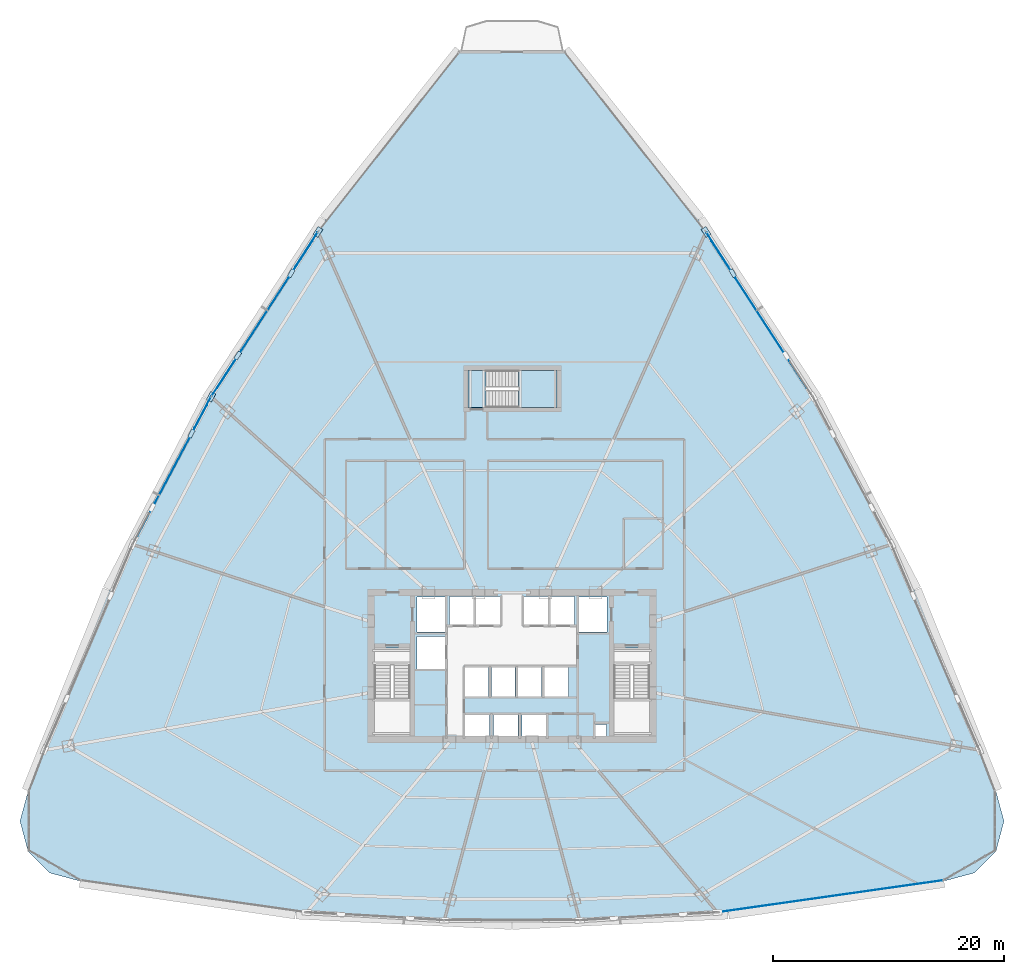
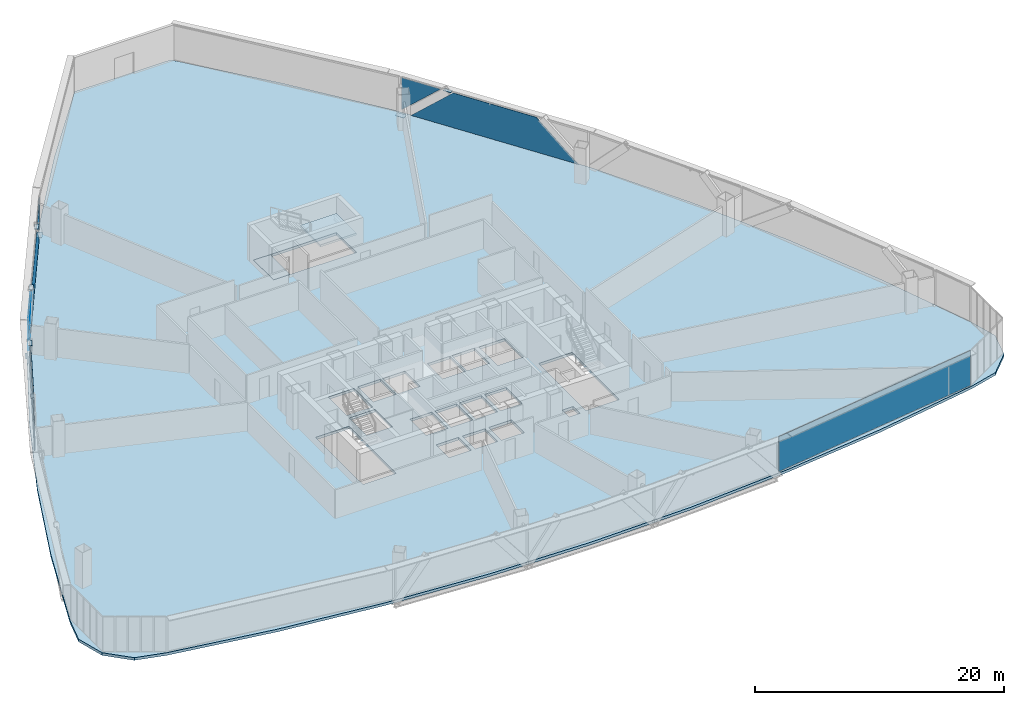
# One storey, part 29 of 39: 15 plates, 3 slabs, 5 elements without a shape of their own.
"""IFC4 building model written with IfcOpenShell, lengths in metres."""

from ifc_helpers import new_model, si_unit, direction, frame, origin, origin_2d, place, context, subcontext, project, spatial, polyline, rectangle, outline, extrude, source, transform, mapped, material, layer, layer_set, type_object, element, aggregate, save


model = new_model("IFC4")

# Units and contexts
model_context = context("Model", 3, precision=1e-05, world=origin(), true_north=direction((0.0, 1.0)))
body_context = subcontext(model_context, "Body", "Model", "MODEL_VIEW")
ifc_project = project(units=[si_unit("LENGTHUNIT", "METRE"), si_unit("AREAUNIT", "SQUARE_METRE"), si_unit("VOLUMEUNIT", "CUBIC_METRE"), si_unit("PLANEANGLEUNIT", "RADIAN"), si_unit("MASSUNIT", "GRAM", prefix="KILO"), si_unit("THERMODYNAMICTEMPERATUREUNIT", "KELVIN"), si_unit("POWERUNIT", "WATT")], contexts=[model_context])

# Site, building, storey
site_placement = place(None, origin())
site = spatial("IfcSite", under=ifc_project, at=site_placement, CompositionType="ELEMENT")
building_placement = place(site_placement, origin())
building = spatial("IfcBuilding", under=site, at=building_placement, Name="Yunzhuo Pagoda Commons", CompositionType="ELEMENT")
storey_placement = place(building_placement, frame((0.0, 0.0, 96.3798828125)))
storey = spatial("IfcBuildingStorey", under=building, at=storey_placement, Name="L24", CompositionType="ELEMENT", Elevation=96.3798828125)

# Curtain wall, plates
ifc_material_1 = material(Name="Anodized aluminium 6063-T6", Category="aluminium")
ifc_layer_1 = layer(ifc_material_1, 0.1650390625)
ifc_layer_set_1 = layer_set([ifc_layer_1], Name="Anodized aluminium 6063-T6")
curtain_wall_type = type_object("IfcCurtainWallType", Name="CW-LOW Low-Zone Ribbon Curtain Wall", PredefinedType="NOTDEFINED", material=ifc_layer_set_1)
curtain_wall_1_placement = place(storey_placement, origin())
curtain_wall_1 = element("IfcCurtainWall", 1, at=curtain_wall_1_placement, inside=storey, type_object=curtain_wall_type, Name="L24 curtain wall CW-L24-F2B4", PredefinedType="NOTDEFINED")
ifc_material_2 = material(Name="Tempered low-e double glazing", Category="glass")
ifc_layer_2 = layer(ifc_material_2, 0.028076171875)
ifc_layer_set_2 = layer_set([ifc_layer_2], Name="Tempered low-e double glazing")
plate_type_1 = type_object("IfcPlateType", Name="CW-LOW-P Low-E Double Glazing 28", PredefinedType="CURTAIN_PANEL", material=ifc_layer_set_2)
plate_1_placement = place(storey_placement, frame((69.353515625, 64.219482421875, 1.77001953125), z_axis=(0.838972259493, 0.544174188841, 0.0), x_axis=(-0.544174188841, 0.838972259493, 0.0)))
plate_1 = element("IfcPlate", 2, at=plate_1_placement, type_object=plate_type_1, Name="CW panel 1.1 lite 2", PredefinedType="CURTAIN_PANEL", context=body_context, shape_type="SweptSolid", body=[
    extrude(outline(polyline([(-7.56298828125, -1.7099609375), (7.56298828125, -1.7099609375), (3.742431640625, 1.7099609375), (-3.742431640625, 1.7099609375), (-7.56298828125, -1.7099609375)])), origin(), (0.0, 0.0, 1.0), 0.028076171875),
])
plate_2_placement = place(storey_placement, frame((65.758056640625, 69.818115234375, 1.894287109375), z_axis=(0.838972259493, 0.544174188841, 0.0), x_axis=(-0.544174188841, 0.838972259493, 0.0)))
plate_2 = element("IfcPlate", 3, at=plate_2_placement, type_object=plate_type_1, Name="CW panel 1.1 lite 3", PredefinedType="CURTAIN_PANEL", context=body_context, shape_type="SweptSolid", body=[
    extrude(outline(polyline([(-1.771728515625, 1.5859375), (1.771728515625, -1.5859375), (1.771728515625, 1.5859375), (-1.771728515625, 1.5859375)])), origin(), (0.0, 0.0, 1.0), 0.028076171875),
])
aggregate(curtain_wall_1, [plate_1, plate_2])

curtain_wall_2_placement = place(storey_placement, origin())
curtain_wall_2 = element("IfcCurtainWall", 4, at=curtain_wall_2_placement, inside=storey, type_object=curtain_wall_type, Name="L24 curtain wall CW-L24-F3B2", PredefinedType="NOTDEFINED")
plate_3_placement = place(storey_placement, frame((30.241943359375, 69.818115234375, 1.894287109375), z_axis=(-0.838972259493, 0.544174188841, 0.0), x_axis=(-0.544174188841, -0.838972259493, 0.0)))
plate_3 = element("IfcPlate", 5, at=plate_3_placement, type_object=plate_type_1, Name="CW panel 1.1 lite 1", PredefinedType="CURTAIN_PANEL", context=body_context, shape_type="SweptSolid", body=[
    extrude(outline(polyline([(-1.771728515625, -1.5859375), (1.771728515625, 1.5859375), (-1.771728515625, 1.5859375), (-1.771728515625, -1.5859375)])), origin(), (0.0, 0.0, 1.0), 0.028076171875),
])
plate_4_placement = place(storey_placement, frame((26.646484375, 64.219482421875, 1.77001953125), z_axis=(-0.838972259493, 0.544174188841, 0.0), x_axis=(-0.544174188841, -0.838972259493, 0.0)))
plate_4 = element("IfcPlate", 6, at=plate_4_placement, type_object=plate_type_1, Name="CW panel 1.1 lite 2", PredefinedType="CURTAIN_PANEL", context=body_context, shape_type="SweptSolid", body=[
    extrude(outline(polyline([(-7.56298828125, -1.7099609375), (7.56298828125, -1.7099609375), (3.742431640625, 1.7099609375), (-3.742431640625, 1.7099609375), (-7.56298828125, -1.7099609375)])), origin(), (0.0, 0.0, 1.0), 0.028076171875),
])
plate_5_placement = place(storey_placement, frame((23.00048828125, 58.6533203125, 1.894287109375), z_axis=(-0.838972259493, 0.544174188841, 0.0), x_axis=(-0.544174188841, -0.838972259493, 0.0)))
plate_5 = element("IfcPlate", 7, at=plate_5_placement, type_object=plate_type_1, Name="CW panel 1.1 lite 3", PredefinedType="CURTAIN_PANEL", context=body_context, shape_type="SweptSolid", body=[
    extrude(outline(polyline([(-1.771728515625, 1.5859375), (1.771728515625, -1.5859375), (1.771728515625, 1.5859375), (-1.771728515625, 1.5859375)])), origin(), (0.0, 0.0, 1.0), 0.028076171875),
])
aggregate(curtain_wall_2, [plate_3, plate_4, plate_5])

curtain_wall_3_placement = place(storey_placement, origin())
curtain_wall_3 = element("IfcCurtainWall", 8, at=curtain_wall_3_placement, inside=storey, type_object=curtain_wall_type, Name="L24 curtain wall CW-L24-F3B3", PredefinedType="NOTDEFINED")
plate_6_placement = place(storey_placement, frame((21.274658203125, 55.74609375, 1.919921875), z_axis=(-0.882975865639, 0.469418385558, 0.0), x_axis=(-0.469418385558, -0.882975865639, 0.0)))
plate_6 = element("IfcPlate", 9, at=plate_6_placement, type_object=plate_type_1, Name="CW panel 1.1 lite 1", PredefinedType="CURTAIN_PANEL", context=body_context, shape_type="SweptSolid", body=[
    extrude(outline(polyline([(-1.483642578125, -1.56005859375), (1.48388671875, 1.56005859375), (-1.483642578125, 1.56005859375), (-1.483642578125, -1.56005859375)])), origin(), (0.0, 0.0, 1.0), 0.028076171875),
])
plate_7_placement = place(storey_placement, frame((18.63525390625, 50.717529296875, 1.77001953125), z_axis=(-0.882975865639, 0.469418385558, 0.0), x_axis=(-0.469418385558, -0.882975865639, 0.0)))
plate_7 = element("IfcPlate", 10, at=plate_7_placement, type_object=plate_type_1, Name="CW panel 1.1 lite 2", PredefinedType="CURTAIN_PANEL", context=body_context, shape_type="SweptSolid", body=[
    extrude(outline(polyline([(-6.39892578125, -1.7099609375), (6.39892578125, -1.7099609375), (3.146484375, 1.7099609375), (-3.146484375, 1.7099609375), (-6.39892578125, -1.7099609375)])), origin(), (0.0, 0.0, 1.0), 0.028076171875),
])
aggregate(curtain_wall_3, [plate_6, plate_7])

# Stair, slabs
ifc_material_3 = material(Name="Concrete C40", Category="concrete")
stair_type = type_object("IfcStairType", Name="ST-C3 North Tower Smokeproof Stair ST3", PredefinedType="HALF_TURN_STAIR", material=ifc_material_3)
stair_placement = place(storey_placement, origin())
stair = element("IfcStair", 11, at=stair_placement, inside=storey, type_object=stair_type, Name="L24 North tower smokeproof stair ST3", PredefinedType="HALF_TURN_STAIR")
ifc_layer_3 = layer(ifc_material_3, 0.2041015625)
ifc_layer_set_3 = layer_set([ifc_layer_3], Name="Concrete C40")
slab_type_1 = type_object("IfcSlabType", Name="SL-LND5 North Landing Slab 204", PredefinedType="LANDING", material=ifc_layer_set_3)
slab_1_placement = place(storey_placement, frame((0.0, 0.0, 1.7001953125)))
slab_1 = element("IfcSlab", 12, at=slab_1_placement, type_object=slab_type_1, Name="ST3 landing 1", PredefinedType="LANDING", context=body_context, shape_type="SweptSolid", body=[
    extrude(outline(polyline([(48.550048828125, 56.199951171875), (51.89990234375, 56.199951171875), (51.89990234375, 59.39990234375), (48.550048828125, 59.39990234375), (48.550048828125, 56.199951171875)])), origin(), (0.0, 0.0, 1.0), 0.199951171875),
])
slab_2_placement = place(storey_placement, frame((0.0, 0.0, -0.199951171875)))
slab_2 = element("IfcSlab", 13, at=slab_2_placement, type_object=slab_type_1, Name="ST3 floor landing L24", PredefinedType="LANDING", context=body_context, shape_type="SweptSolid", body=[
    extrude(outline(polyline([(44.199951171875, 56.199951171875), (45.75, 56.199951171875), (45.75, 59.39990234375), (44.199951171875, 59.39990234375), (44.199951171875, 56.199951171875)])), origin(), (0.0, 0.0, 1.0), 0.199951171875),
])
aggregate(stair, [slab_1, slab_2])

# Slab
ifc_layer_4 = layer(ifc_material_3, 0.260009765625)
ifc_layer_set_4 = layer_set([ifc_layer_4], Name="Concrete C40")
slab_type_2 = type_object("IfcSlabType", Name="SL-TWR Typical Tower Floor Slab 260", PredefinedType="FLOOR", material=ifc_layer_set_4)
slab_3_placement = place(storey_placement, frame((0.0, 0.0, -0.259765625)))
element("IfcSlab", 14, at=slab_3_placement, inside=storey, type_object=slab_type_2, Name="L24 structural floor slab", PredefinedType="FLOOR", context=body_context, shape_type="SweptSolid", body=[
    extrude(outline(polyline([(9.473388671875, 31.834716796875), (13.162109375, 40.407958984375), (17.243408203125, 48.751953125), (21.71728515625, 56.86669921875), (26.58349609375, 64.75244140625), (31.84228515625, 72.408935546875), (37.49365234375, 79.83642578125), (43.53759765625, 87.034912109375), (52.46240234375, 87.034912109375), (58.50634765625, 79.83642578125), (64.15771484375, 72.408935546875), (69.41650390625, 64.75244140625), (74.28271484375, 56.86669921875), (78.756591796875, 48.751953125), (82.837890625, 40.407958984375), (86.526611328125, 31.834716796875), (89.82275390625, 23.03271484375), (90.52734375, 20.4462890625), (89.84130859375, 17.85498046875), (87.94921875, 15.9560546875), (85.3603515625, 15.2607421875), (76.020263671875, 13.669921875), (66.68017578125, 12.53369140625), (57.340087890625, 11.851806640625), (48.0, 11.624755859375), (38.659912109375, 11.851806640625), (29.31982421875, 12.53369140625), (19.979736328125, 13.669921875), (10.6396484375, 15.2607421875), (8.05078125, 15.9560546875), (6.15869140625, 17.85498046875), (5.47265625, 20.4462890625), (6.17724609375, 23.03271484375), (9.473388671875, 31.834716796875)]), holes=[polyline([(46.050048828125, 27.60009765625), (46.050048828125, 29.64990234375), (43.949951171875, 29.64990234375), (43.949951171875, 27.60009765625), (46.050048828125, 27.60009765625)]), polyline([(48.5, 27.60009765625), (48.5, 29.64990234375), (46.39990234375, 29.64990234375), (46.39990234375, 27.60009765625), (48.5, 27.60009765625)]), polyline([(36.10009765625, 27.800048828125), (39.199951171875, 27.800048828125), (39.199951171875, 35.39990234375), (36.10009765625, 35.39990234375), (36.10009765625, 27.800048828125)]), polyline([(45.969970703125, 31.199951171875), (45.969970703125, 33.800048828125), (43.929931640625, 33.800048828125), (43.929931640625, 31.199951171875), (45.969970703125, 31.199951171875)]), polyline([(48.27001953125, 31.199951171875), (48.27001953125, 33.800048828125), (46.22998046875, 33.800048828125), (46.22998046875, 31.199951171875), (48.27001953125, 31.199951171875)]), polyline([(42.199951171875, 33.60009765625), (42.199951171875, 36.39990234375), (39.800048828125, 36.39990234375), (39.800048828125, 33.60009765625), (42.199951171875, 33.60009765625)]), polyline([(42.199951171875, 36.800048828125), (42.199951171875, 39.800048828125), (39.800048828125, 39.800048828125), (39.800048828125, 36.800048828125), (42.199951171875, 36.800048828125)]), polyline([(42.60009765625, 37.39990234375), (44.699951171875, 37.39990234375), (44.699951171875, 39.85009765625), (42.60009765625, 39.85009765625), (42.60009765625, 37.39990234375)]), polyline([(44.85009765625, 37.39990234375), (46.949951171875, 37.39990234375), (46.949951171875, 39.85009765625), (44.85009765625, 39.85009765625), (44.85009765625, 37.39990234375)]), polyline([(56.179931640625, 27.699951171875), (56.179931640625, 28.800048828125), (55.179931640625, 28.800048828125), (55.179931640625, 27.699951171875), (56.179931640625, 27.699951171875)]), polyline([(50.949951171875, 27.60009765625), (50.949951171875, 29.64990234375), (48.85009765625, 29.64990234375), (48.85009765625, 27.60009765625), (50.949951171875, 27.60009765625)]), polyline([(56.800048828125, 27.800048828125), (59.89990234375, 27.800048828125), (59.89990234375, 35.39990234375), (56.800048828125, 35.39990234375), (56.800048828125, 27.800048828125)]), polyline([(50.570068359375, 31.199951171875), (50.570068359375, 33.800048828125), (48.530029296875, 33.800048828125), (48.530029296875, 31.199951171875), (50.570068359375, 31.199951171875)]), polyline([(52.8701171875, 31.199951171875), (52.8701171875, 33.800048828125), (50.830078125, 33.800048828125), (50.830078125, 31.199951171875), (52.8701171875, 31.199951171875)]), polyline([(56.199951171875, 36.800048828125), (56.199951171875, 39.800048828125), (53.800048828125, 39.800048828125), (53.800048828125, 36.800048828125), (56.199951171875, 36.800048828125)]), polyline([(51.14990234375, 37.39990234375), (51.14990234375, 39.85009765625), (49.050048828125, 39.85009765625), (49.050048828125, 37.39990234375), (51.14990234375, 37.39990234375)]), polyline([(51.300048828125, 37.39990234375), (53.39990234375, 37.39990234375), (53.39990234375, 39.85009765625), (51.300048828125, 39.85009765625), (51.300048828125, 37.39990234375)]), polyline([(44.199951171875, 56.199951171875), (51.89990234375, 56.199951171875), (51.89990234375, 59.39990234375), (44.199951171875, 59.39990234375), (44.199951171875, 56.199951171875)])]), origin(), (0.0, 0.0, 1.0), 0.259765625),
])

# Plates
ifc_material_4 = material(Name="Structural steel Q355B", Category="steel")
ifc_layer_5 = layer(ifc_material_4, 0.028076171875)
ifc_layer_set_5 = layer_set([ifc_layer_5], Name="Structural steel Q355B")
plate_type_2 = type_object("IfcPlateType", Name="SP-ND1 Lattice Node Cap Plate 800x500x28", PredefinedType="USERDEFINED", material=ifc_layer_set_5)
shared_shape_1 = source(origin(), body_context, "Body", "SweptSolid", [
    extrude(rectangle(XDim=0.800048828125, YDim=0.5, at=origin_2d()), origin(), (0.0, 0.0, 1.0), 0.028076171875),
])
for number, where, z_axis, x_axis, name in (
    (15, (64.770263671875, 71.366455078125, -0.27392578125), (0.0, 0.0, 1.0), (-0.544170548087, 0.838974620948, 0.0), "L24 diamond node plate F2.3B"),
    (16, (31.229736328125, 71.366455078125, -0.27392578125), (0.0, 0.0, 1.0), (-0.544170548087, -0.838974620948, 0.0), "L24 diamond node plate F3.1A"),
    (17, (21.9892578125, 57.1201171875, -0.27392578125), (0.0, 0.0, 1.0), (-0.469425331115, -0.882972173122, 0.0), "L24 diamond node plate F3.2A"),
):
    element("IfcPlate", number, at=place(storey_placement, frame(where, z_axis=z_axis, x_axis=x_axis)), inside=storey, type_object=plate_type_2, Name=name, ObjectType="STIFFENER_PLATE", PredefinedType="USERDEFINED", context=body_context, shape_type="MappedRepresentation", body=[
        mapped(shared_shape_1, transform((0.0, 0.0, 0.0), scale=1.0)),
    ])
shared_shape_2 = source(origin(), body_context, "Body", "SweptSolid", [
    extrude(rectangle(XDim=0.699951171875, YDim=0.35009765625, at=origin_2d()), origin(), (0.0, 0.0, 1.0), 0.035888671875),
])
for number, where, z_axis, x_axis, name in (
    (18, (67.080322265625, 67.804931640625, 3.501953125), (0.0, 0.0, 1.0), (-0.544170548087, 0.838974620948, 0.0), "L24 setback lattice tie plate F2.3R"),
    (19, (28.919677734375, 67.804931640625, 3.501953125), (0.0, 0.0, 1.0), (-0.544170548087, -0.838974620948, 0.0), "L24 setback lattice tie plate F3.1L"),
    (20, (24.29931640625, 60.681640625, 3.501953125), (0.0, 0.0, 1.0), (-0.544170548087, -0.838974620948, 0.0), "L24 setback lattice tie plate F3.1R"),
    (21, (20.29296875, 53.92919921875, 3.501953125), (0.0, 0.0, 1.0), (-0.469425331115, -0.882972173122, 0.0), "L24 setback lattice tie plate F3.2L"),
):
    element("IfcPlate", number, at=place(storey_placement, frame(where, z_axis=z_axis, x_axis=x_axis)), inside=storey, type_object=plate_type_2, Name=name, ObjectType="STIFFENER_PLATE", PredefinedType="USERDEFINED", context=body_context, shape_type="MappedRepresentation", body=[
        mapped(shared_shape_2, transform((0.0, 0.0, 0.0), scale=1.0)),
    ])

# Curtain wall, plate
curtain_wall_4_placement = place(storey_placement, origin())
curtain_wall_4 = element("IfcCurtainWall", 22, at=curtain_wall_4_placement, inside=storey, type_object=curtain_wall_type, Name="L24 curtain wall CW-L24-F1B5", PredefinedType="NOTDEFINED")
shared_shape_3 = source(origin(), body_context, "Body", "SweptSolid", [
    extrude(rectangle(XDim=19.5625, YDim=0.028076171875, at=origin_2d()), origin(), (0.0, 0.0, 1.0), 3.419921875),
])
plate_8_placement = place(storey_placement, frame((75.572021484375, 13.94384765625, 0.06005859375), z_axis=(0.0, 0.0, 1.0), x_axis=(0.990041803855, 0.140773671614, 0.0)))
plate_8 = element("IfcPlate", 23, at=plate_8_placement, type_object=plate_type_1, Name="CW panel 1.1", PredefinedType="CURTAIN_PANEL", context=body_context, shape_type="MappedRepresentation", body=[
    mapped(shared_shape_3, transform((0.0, 0.0, 0.0), scale=1.0)),
])
aggregate(curtain_wall_4, [plate_8])

save(model, "model.ifc")
